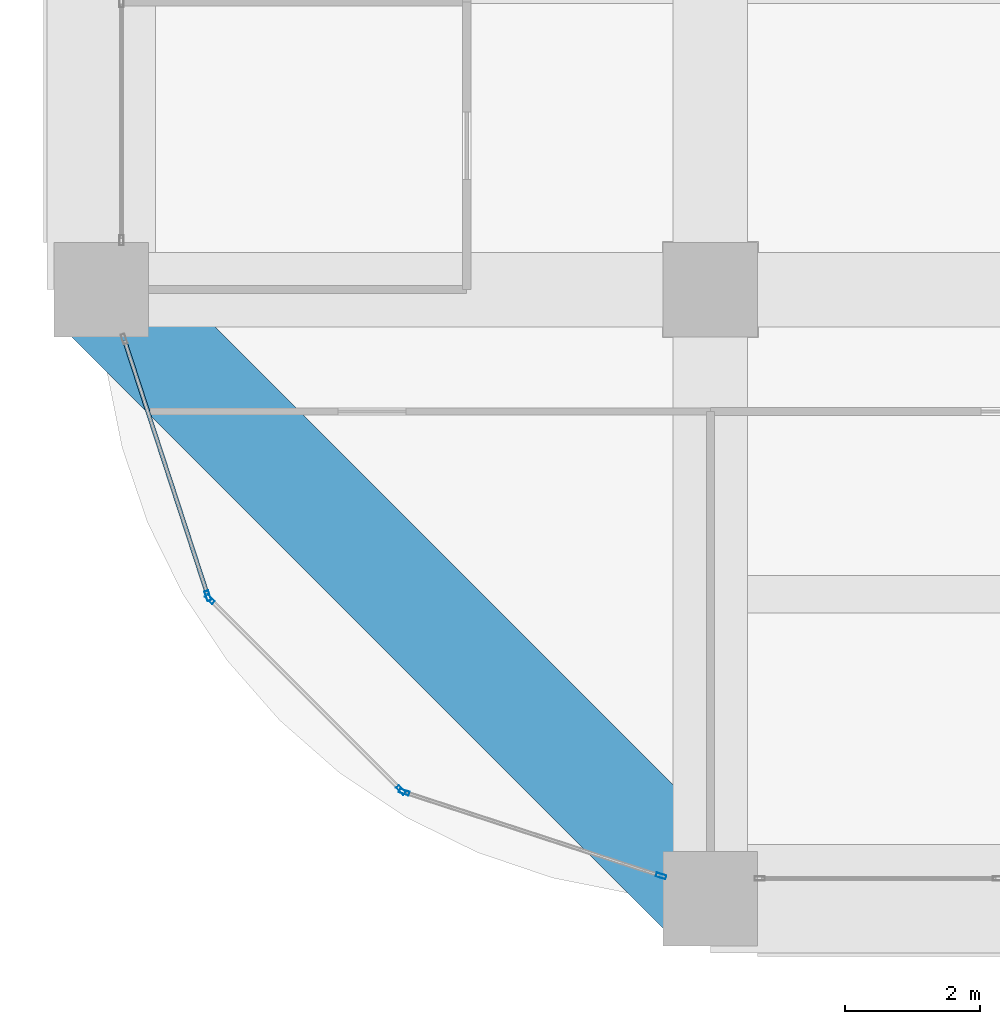
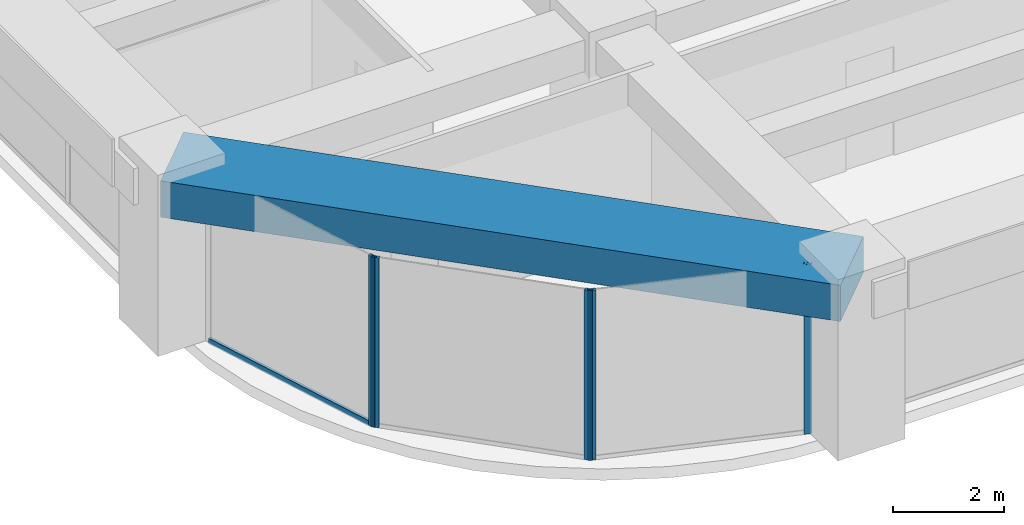
# One storey, part 2 of 35: 6 members, 1 beam, 3 elements without a shape of their own.
"""IFC4 building model written with IfcOpenShell, lengths in metres."""

from ifc_helpers import new_model, si_unit, direction, frame, origin, origin_2d, place, context, subcontext, project, spatial, rectangle, hollow_rectangle, extrude, material, material_profile, profile_set, type_object, element, aggregate, save


model = new_model("IFC4")

# Units and contexts
model_context = context("Model", 3, precision=1e-05, world=origin(), true_north=direction((0.0, 1.0)))
body_context = subcontext(model_context, "Body", "Model", "MODEL_VIEW")
ifc_project = project(units=[si_unit("LENGTHUNIT", "METRE"), si_unit("AREAUNIT", "SQUARE_METRE"), si_unit("VOLUMEUNIT", "CUBIC_METRE"), si_unit("PLANEANGLEUNIT", "RADIAN"), si_unit("MASSUNIT", "GRAM", prefix="KILO")], contexts=[model_context])

# Site, building, storey
site_placement = place(None, origin())
site = spatial("IfcSite", under=ifc_project, at=site_placement, CompositionType="ELEMENT")
building_placement = place(site_placement, origin())
building = spatial("IfcBuilding", under=site, at=building_placement, Name="Zorevar Civic Tower", CompositionType="ELEMENT")
storey_placement = place(building_placement, frame((0.0, 0.0, 222.199951171875)))
storey = spatial("IfcBuildingStorey", under=building, at=storey_placement, Name="L54", CompositionType="ELEMENT", Elevation=222.199951171875)

# Curtain wall, member
ifc_material_1 = material(Name="Dark grey solar-control glass in black aluminium frame", Category="aluminium")
curtain_wall_type = type_object("IfcCurtainWallType", Name="Curtain wall CW4 high zone", PredefinedType="NOTDEFINED", material=ifc_material_1)
curtain_wall_1_placement = place(storey_placement, origin())
curtain_wall_1 = element("IfcCurtainWall", 1, at=curtain_wall_1_placement, inside=storey, type_object=curtain_wall_type, Name="CW4 L54", PredefinedType="NOTDEFINED")
ifc_material_2 = material(Name="Aluminium, black anodised", Category="aluminium")
ifc_material_profile_1 = material_profile(ifc_material_2, hollow_rectangle(XDim=0.06005859375, YDim=0.14990234375, WallThickness=0.00390625, at=origin_2d()), Name="AL 150x60x4")
ifc_profile_set_1 = profile_set([ifc_material_profile_1], Name="Aluminium, black anodised")
member_type_1 = type_object("IfcMemberType", Name="CW4 mullion AL 150x60x4", PredefinedType="MULLION", material=ifc_profile_set_1)
member_1_placement = place(storey_placement, frame((1.57568359375, 4.477783203125, 0.0), z_axis=(0.0, 0.0, 1.0), x_axis=(0.950644749916, 0.310281419775, 0.0)))
member_1 = element("IfcMember", 2, at=member_1_placement, type_object=member_type_1, Name="CW4 mullion 2", PredefinedType="MULLION", context=body_context, shape_type="SweptSolid", body=[
    extrude(hollow_rectangle(XDim=0.06005859375, YDim=0.14990234375, WallThickness=0.00390625, at=origin_2d()), origin(), (0.0, 0.0, 1.0), 3.75),
])

# Curtain wall, members
curtain_wall_2_placement = place(storey_placement, origin())
curtain_wall_2 = element("IfcCurtainWall", 3, at=curtain_wall_2_placement, inside=storey, type_object=curtain_wall_type, Name="CW4 L54", PredefinedType="NOTDEFINED")
member_2_placement = place(storey_placement, frame((1.606201171875, 4.427978515625, 0.0), z_axis=(0.0, 0.0, 1.0), x_axis=(0.707106781187, 0.707106781187, 0.0)))
member_2 = element("IfcMember", 4, at=member_2_placement, type_object=member_type_1, Name="CW4 mullion 1", PredefinedType="MULLION", context=body_context, shape_type="SweptSolid", body=[
    extrude(hollow_rectangle(XDim=0.06005859375, YDim=0.14990234375, WallThickness=0.00390625, at=origin_2d()), origin(), (0.0, 0.0, 1.0), 3.75),
])
member_3_placement = place(storey_placement, frame((4.427978515625, 1.606201171875, 0.0), z_axis=(0.0, 0.0, 1.0), x_axis=(0.707106781187, 0.707106781187, 0.0)))
member_3 = element("IfcMember", 5, at=member_3_placement, type_object=member_type_1, Name="CW4 mullion 2", PredefinedType="MULLION", context=body_context, shape_type="SweptSolid", body=[
    extrude(hollow_rectangle(XDim=0.06005859375, YDim=0.14990234375, WallThickness=0.00390625, at=origin_2d()), origin(), (0.0, 0.0, 1.0), 3.75),
])
aggregate(curtain_wall_2, [member_2, member_3])

curtain_wall_3_placement = place(storey_placement, origin())
curtain_wall_3 = element("IfcCurtainWall", 6, at=curtain_wall_3_placement, inside=storey, type_object=curtain_wall_type, Name="CW4 L54", PredefinedType="NOTDEFINED")
member_4_placement = place(storey_placement, frame((4.477783203125, 1.57568359375, 0.0), z_axis=(0.0, 0.0, 1.0), x_axis=(0.310281419775, 0.950644749916, 0.0)))
member_4 = element("IfcMember", 7, at=member_4_placement, type_object=member_type_1, Name="CW4 mullion 1", PredefinedType="MULLION", context=body_context, shape_type="SweptSolid", body=[
    extrude(hollow_rectangle(XDim=0.06005859375, YDim=0.14990234375, WallThickness=0.00390625, at=origin_2d()), origin(), (0.0, 0.0, 1.0), 3.75),
])
member_5_placement = place(storey_placement, frame((8.271484375, 0.337646484375, 0.0), z_axis=(0.0, 0.0, 1.0), x_axis=(0.310281419775, 0.950644749916, 0.0)))
member_5 = element("IfcMember", 8, at=member_5_placement, type_object=member_type_1, Name="CW4 mullion 2", PredefinedType="MULLION", context=body_context, shape_type="SweptSolid", body=[
    extrude(hollow_rectangle(XDim=0.06005859375, YDim=0.14990234375, WallThickness=0.00390625, at=origin_2d()), origin(), (0.0, 0.0, 1.0), 3.75),
])
aggregate(curtain_wall_3, [member_4, member_5])

# Member
ifc_material_3 = material(Name="Aluminium, black anodised", Category="aluminium")
ifc_material_profile_2 = material_profile(ifc_material_3, hollow_rectangle(XDim=0.06005859375, YDim=0.1201171875, WallThickness=0.0029296875, at=origin_2d()), Name="AL 120x60x3")
ifc_profile_set_2 = profile_set([ifc_material_profile_2], Name="Aluminium, black anodised")
member_type_2 = type_object("IfcMemberType", Name="CW4 transom AL 120x60x3", PredefinedType="USERDEFINED", material=ifc_profile_set_2)
member_6_placement = place(storey_placement, frame((0.346923828125, 8.242919921875, 0.030029296875), z_axis=(0.31025859143, -0.950652200568, 0.0), x_axis=(0.950652200568, 0.31025859143, 0.0)))
member_6 = element("IfcMember", 9, at=member_6_placement, type_object=member_type_2, Name="CW4 sill transom", ObjectType="TRANSOM", PredefinedType="USERDEFINED", context=body_context, shape_type="SweptSolid", body=[
    extrude(hollow_rectangle(XDim=0.06005859375, YDim=0.1201171875, WallThickness=0.0029296875, at=origin_2d()), origin(), (0.0, 0.0, 1.0), 3.930419921875),
])

aggregate(curtain_wall_1, [member_1, member_6])

# Beam
ifc_material_4 = material(Name="Concrete C50/60", Category="concrete")
ifc_material_profile_3 = material_profile(ifc_material_4, rectangle(XDim=1.60009765625, YDim=0.800048828125, at=origin_2d()), Name="RC 1600x800")
ifc_profile_set_3 = profile_set([ifc_material_profile_3], Name="Concrete C50/60")
beam_type = type_object("IfcBeamType", Name="Edge beam RC 1600x800", PredefinedType="SPANDREL", material=ifc_profile_set_3)
beam_placement = place(storey_placement, frame((0.0, 9.0, 3.35009765625), z_axis=(0.707106781187, -0.707106781187, 0.0), x_axis=(0.707106781187, 0.707106781187, 0.0)))
element("IfcBeam", 10, at=beam_placement, inside=storey, type_object=beam_type, Name="Corner edge beam L55", PredefinedType="SPANDREL", context=body_context, shape_type="SweptSolid", body=[
    extrude(rectangle(XDim=1.60009765625, YDim=0.800048828125, at=origin_2d()), origin(), (0.0, 0.0, 1.0), 12.72802734375),
])

save(model, "model.ifc")
